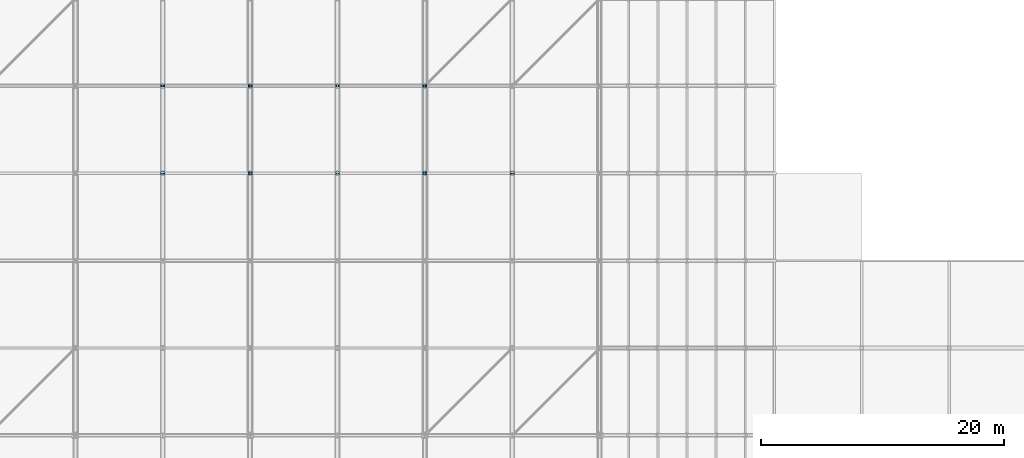
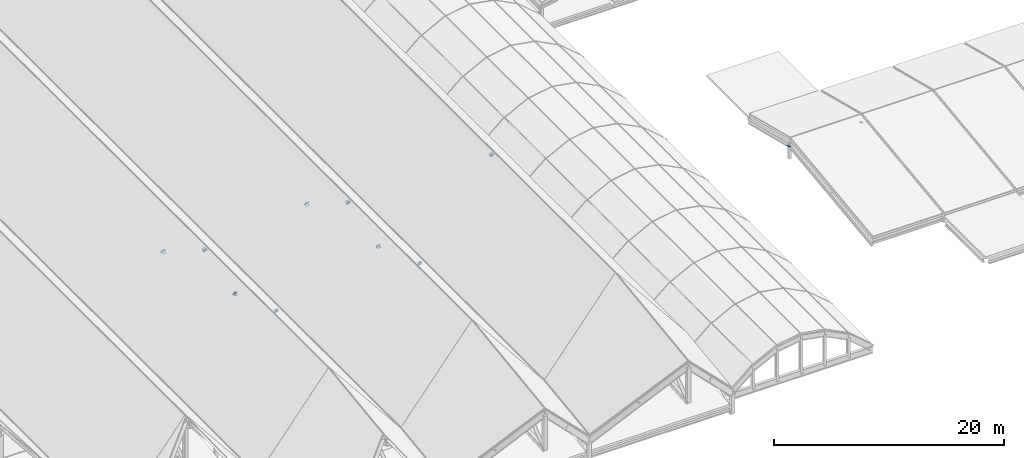
# One storey, part 49 of 60: 20 plates.
"""IFC4 building model written with IfcOpenShell, lengths in metres."""

from ifc_helpers import new_model, si_unit, direction, frame, origin, origin_2d, place, context, subcontext, project, spatial, rectangle, extrude, material, layer, layer_set, type_object, element, save


model = new_model("IFC4")

# Units and contexts
model_context = context("Model", 3, precision=1e-05, world=origin(), true_north=direction((0.0, 1.0)))
body_context = subcontext(model_context, "Body", "Model", "MODEL_VIEW")
ifc_project = project(units=[si_unit("LENGTHUNIT", "METRE"), si_unit("AREAUNIT", "SQUARE_METRE"), si_unit("VOLUMEUNIT", "CUBIC_METRE"), si_unit("PLANEANGLEUNIT", "RADIAN"), si_unit("MASSUNIT", "GRAM", prefix="KILO")], contexts=[model_context])

# Site, building, storey
site_placement = place(None, origin())
site = spatial("IfcSite", under=ifc_project, at=site_placement, CompositionType="ELEMENT")
building_placement = place(site_placement, origin())
building = spatial("IfcBuilding", under=site, at=building_placement, Name="Vesperath Aquatics Centre", CompositionType="ELEMENT")
storey_placement = place(building_placement, frame((0.0, 0.0, 27.60009765625)))
storey = spatial("IfcBuildingStorey", under=building, at=storey_placement, Name="RF", CompositionType="ELEMENT", Elevation=27.60009765625)

# Plates
ifc_material = material(Name="Steel Q355D", Category="steel")
ifc_layer_1 = layer(ifc_material, 0.02001953125)
ifc_layer_set_1 = layer_set([ifc_layer_1], Name="Steel Q355D")
plate_type_1 = type_object("IfcPlateType", Name="PT-TN01", PredefinedType="SHEET", material=ifc_layer_set_1)
for number, where, z_axis, x_axis, name in (
    (1, (64.800048828125, 35.932373046875, -0.84326171875), (0.0, 0.842696259913, 0.538389276944), (-1.0, 0.0, 0.0), "Truss Node Cap Plate TN01"),
    (2, (64.800048828125, 36.050537109375, -0.83251953125), (0.0, 0.842696259913, -0.538389276944), (-1.0, 0.0, 0.0), "Truss Node Cap Plate TN01"),
    (3, (64.800048828125, 43.132568359375, -5.35693359375), (0.0, 0.842696259913, -0.538389276944), (-1.0, 0.0, 0.0), "Truss Node Cap Plate TN01"),
    (4, (64.800048828125, 43.25048828125, -5.36767578125), (0.0, 0.842696259913, 0.538389276944), (-1.0, 0.0, 0.0), "Truss Node Cap Plate TN01"),
    (5, (79.199951171875, 35.932373046875, -0.84326171875), (0.0, 0.842696259913, 0.538389276944), (-1.0, 0.0, 0.0), "Truss Node Cap Plate TN01"),
    (6, (79.199951171875, 36.050537109375, -0.83251953125), (0.0, 0.842696259913, -0.538389276944), (-1.0, 0.0, 0.0), "Truss Node Cap Plate TN01"),
    (7, (79.199951171875, 43.132568359375, -5.35693359375), (0.0, 0.842696259913, -0.538389276944), (-1.0, 0.0, 0.0), "Truss Node Cap Plate TN01"),
    (8, (79.199951171875, 43.25048828125, -5.36767578125), (0.0, 0.842696259913, 0.538389276944), (-1.0, 0.0, 0.0), "Truss Node Cap Plate TN01"),
    (9, (93.60009765625, 35.932373046875, -0.84326171875), (0.0, 0.842696259913, 0.538389276944), (-1.0, 0.0, 0.0), "Truss Node Cap Plate TN01"),
    (10, (93.60009765625, 36.050537109375, -0.83251953125), (0.0, 0.842696259913, -0.538389276944), (-1.0, 0.0, 0.0), "Truss Node Cap Plate TN01"),
):
    element("IfcPlate", number, at=place(storey_placement, frame(where, z_axis=z_axis, x_axis=x_axis)), inside=storey, type_object=plate_type_1, Name=name, PredefinedType="SHEET", context=body_context, shape_type="SweptSolid", body=[
        extrude(rectangle(XDim=0.360107421875, YDim=0.360107421875, at=origin_2d()), origin(), (0.0, 0.0, 1.0), 0.02001953125),
    ])
ifc_layer_2 = layer(ifc_material, 0.02001953125)
ifc_layer_set_2 = layer_set([ifc_layer_2], Name="Steel Q355D")
plate_type_2 = type_object("IfcPlateType", Name="PT-TN02", PredefinedType="SHEET", material=ifc_layer_set_2)
for number, where, z_axis, x_axis, name in (
    (11, (72.0, 35.924560546875, -9.827392578125), (0.0, 0.940553899656, 0.339644463876), (-1.0, 0.0, 0.0), "Truss Node Cap Plate TN02"),
    (12, (72.0, 36.056396484375, -9.820556640625), (0.0, 0.940553899656, -0.339644463876), (-1.0, 0.0, 0.0), "Truss Node Cap Plate TN02"),
    (13, (72.0, 43.124755859375, -12.372802734375), (0.0, 0.940553899656, -0.339644463876), (-1.0, 0.0, 0.0), "Truss Node Cap Plate TN02"),
    (14, (72.0, 43.25634765625, -12.379638671875), (0.0, 0.940553899656, 0.339644463876), (-1.0, 0.0, 0.0), "Truss Node Cap Plate TN02"),
    (15, (86.39990234375, 35.924560546875, -9.827392578125), (0.0, 0.940553899656, 0.339644463876), (-1.0, 0.0, 0.0), "Truss Node Cap Plate TN02"),
    (16, (86.39990234375, 36.056396484375, -9.820556640625), (0.0, 0.940553899656, -0.339644463876), (-1.0, 0.0, 0.0), "Truss Node Cap Plate TN02"),
    (17, (86.39990234375, 43.124755859375, -12.372802734375), (0.0, 0.940553899656, -0.339644463876), (-1.0, 0.0, 0.0), "Truss Node Cap Plate TN02"),
    (18, (86.39990234375, 43.25634765625, -12.379638671875), (0.0, 0.940553899656, 0.339644463876), (-1.0, 0.0, 0.0), "Truss Node Cap Plate TN02"),
):
    element("IfcPlate", number, at=place(storey_placement, frame(where, z_axis=z_axis, x_axis=x_axis)), inside=storey, type_object=plate_type_2, Name=name, PredefinedType="SHEET", context=body_context, shape_type="SweptSolid", body=[
        extrude(rectangle(XDim=0.320068359375, YDim=0.320068359375, at=origin_2d()), origin(), (0.0, 0.0, 1.0), 0.02001953125),
    ])
ifc_layer_3 = layer(ifc_material, 0.01806640625)
ifc_layer_set_3 = layer_set([ifc_layer_3], Name="Steel Q355D")
plate_type_3 = type_object("IfcPlateType", Name="PT-TN03", PredefinedType="SHEET", material=ifc_layer_set_3)
for number, where, z_axis, x_axis, name in (
    (19, (115.199951171875, 21.60009765625, 1.290771484375), (0.0, 0.0, 1.0), (1.0, 0.0, 0.0), "Boulevard Attic Ridge Column Cap Plate TN03 RF 17/D"),
    (20, (122.39990234375, 21.60009765625, 1.290771484375), (0.0, 0.0, 1.0), (1.0, 0.0, 0.0), "Boulevard Attic Ridge Column Cap Plate TN03 RF 18/D"),
):
    element("IfcPlate", number, at=place(storey_placement, frame(where, z_axis=z_axis, x_axis=x_axis)), inside=storey, type_object=plate_type_3, Name=name, PredefinedType="SHEET", context=body_context, shape_type="SweptSolid", body=[
        extrude(rectangle(XDim=0.280029296875, YDim=0.280029296875, at=origin_2d()), origin(), (0.0, 0.0, 1.0), 0.01806640625),
    ])

save(model, "model.ifc")
